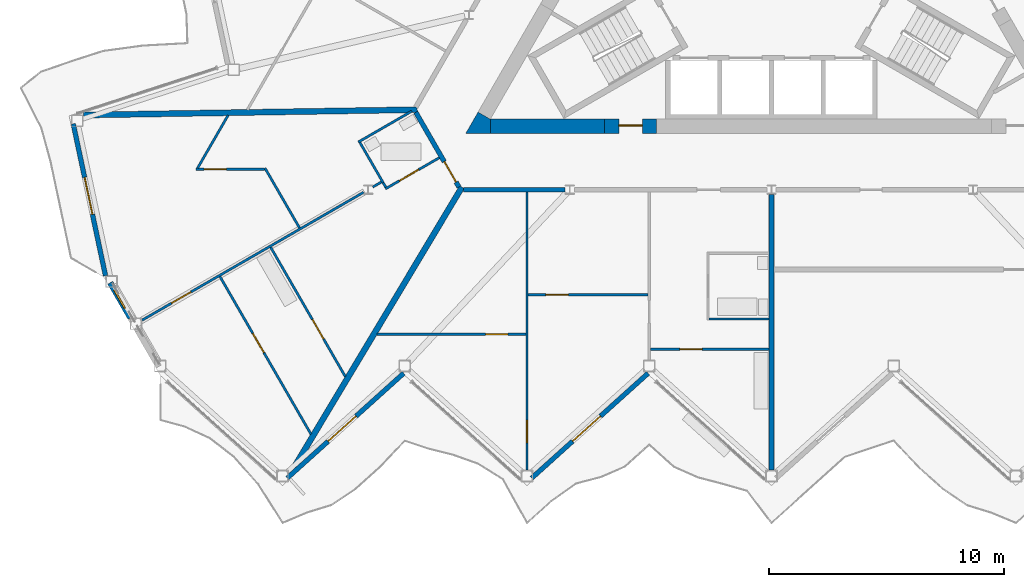
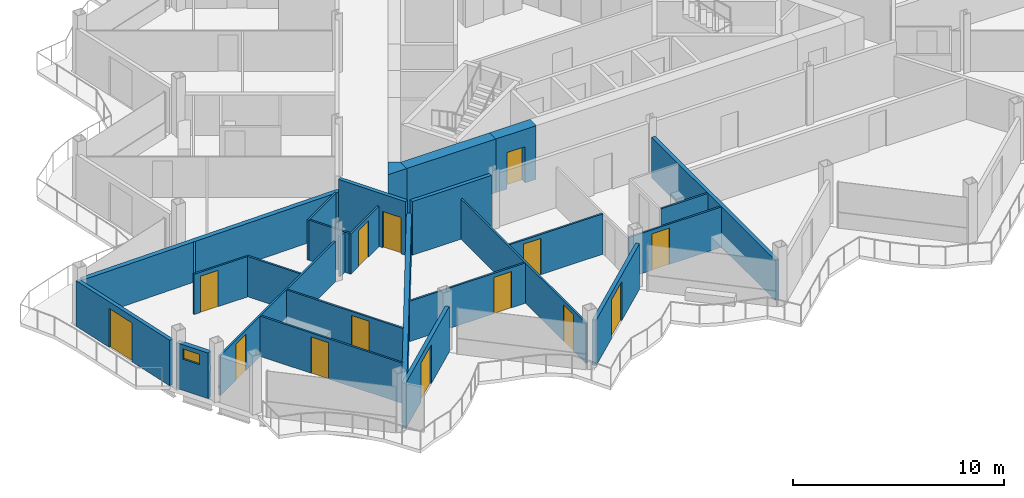
# One storey, part 12 of 26: 28 walls, 14 doors, 1 window, 15 openings.
"""IFC4 building model written with IfcOpenShell, lengths in metres."""

from ifc_helpers import new_model, si_unit, direction, frame, frame_2d, origin, place, context, subcontext, project, spatial, polyline, rectangle, outline, extrude, material, layer, layer_set, type_object, element, fill, save


model = new_model("IFC4")

# Units and contexts
model_context = context("Model", 3, precision=1e-05, world=origin(), true_north=direction((0.0, 1.0)))
body_context = subcontext(model_context, "Body", "Model", "MODEL_VIEW")
ifc_project = project(units=[si_unit("LENGTHUNIT", "METRE"), si_unit("AREAUNIT", "SQUARE_METRE"), si_unit("VOLUMEUNIT", "CUBIC_METRE"), si_unit("PLANEANGLEUNIT", "RADIAN"), si_unit("MASSUNIT", "GRAM", prefix="KILO")], contexts=[model_context])

# Site, building, storey
site_placement = place(None, origin())
site = spatial("IfcSite", under=ifc_project, at=site_placement, CompositionType="ELEMENT")
building_placement = place(site_placement, origin())
building = spatial("IfcBuilding", under=site, at=building_placement, Name="Cormorant Prow Tower", CompositionType="ELEMENT")
storey_placement = place(building_placement, frame((0.0, 0.0, 384.800048828125)))
storey = spatial("IfcBuildingStorey", under=building, at=storey_placement, Name="L87", CompositionType="ELEMENT", Elevation=384.800048828125)

# Walls
ifc_material_1 = material(Name="Concrete 8000 psi", Category="concrete")
ifc_layer_1 = layer(ifc_material_1, 0.60009765625)
ifc_layer_set_1 = layer_set([ifc_layer_1], Name="Concrete 8000 psi")
wall_type_1 = type_object("IfcWallType", Name="Core shear wall 600", PredefinedType="SHEAR", material=ifc_layer_set_1)
wall_1_placement = place(storey_placement, frame((-11.960693359375, -7.20556640625, 0.0), z_axis=(0.0, 0.0, 1.0), x_axis=(1.0, 0.0, 0.0)))
element("IfcWall", 1, at=wall_1_placement, inside=storey, type_object=wall_type_1, Name="Core wall", PredefinedType="SHEAR", context=body_context, shape_type="SweptSolid", body=[
    extrude(rectangle(XDim=4.868408203125, YDim=0.60009765625, at=frame_2d((2.43408203125, 0.0))), origin(), (0.0, 0.0, 1.0), 3.099853515625),
])
wall_2_placement = place(storey_placement, origin())
element("IfcWall", 2, at=wall_2_placement, inside=storey, type_object=wall_type_1, Name="Core wall corner", PredefinedType="SHEAR", context=body_context, shape_type="SweptSolid", body=[
    extrude(outline(polyline([(-12.48046875, -6.605712890625), (-11.960693359375, -6.905517578125), (-11.960693359375, -7.505615234375), (-13.0, -7.505615234375), (-12.48046875, -6.605712890625)])), origin(), (0.0, 0.0, 1.0), 3.099853515625),
])

# Wall, opening, door
wall_3_placement = place(storey_placement, frame((-7.09228515625, -7.20556640625, 0.0), z_axis=(0.0, 0.0, 1.0), x_axis=(1.0, 0.0, 0.0)))
wall_3 = element("IfcWall", 3, at=wall_3_placement, inside=storey, type_object=wall_type_1, Name="Core wall door panel", PredefinedType="SHEAR", context=body_context, shape_type="SweptSolid", body=[
    extrude(rectangle(XDim=2.2001953125, YDim=0.60009765625, at=frame_2d((1.10009765625, 0.0))), origin(), (0.0, 0.0, 1.0), 3.099853515625),
])
opening_1_placement = place(wall_3_placement, frame((0.60009765625, 0.0, 0.0)))
opening_1 = element("IfcOpeningElement", 4, at=opening_1_placement, cuts=wall_3, Name="Opening L87-C16", PredefinedType="OPENING", context=body_context, shape_type="SweptSolid", body=[
    extrude(rectangle(XDim=1.0, YDim=2.10009765625, at=frame_2d((0.5, 1.050048828125))), frame((0.0, 0.31005859375, 0.0), z_axis=(0.0, -1.0, 0.0), x_axis=(1.0, 0.0, 0.0)), (0.0, 0.0, 1.0), 0.6201171875),
])
ifc_material_2 = material(Name="Painted steel", Category="steel")
door_type_1 = type_object("IfcDoorType", Name="Service door 1000x2100", OperationType="NOTDEFINED", PredefinedType="DOOR", material=ifc_material_2)
door_1_placement = place(opening_1_placement, origin())
door_1 = element("IfcDoor", 5, at=door_1_placement, inside=storey, type_object=door_type_1, Name="Core door, Pantry store", OperationType="SINGLE_SWING_LEFT", OverallHeight=2.10009765625, OverallWidth=1.0, PredefinedType="DOOR", context=body_context, shape_type="SweptSolid", body=[
    extrude(rectangle(XDim=1.0, YDim=2.10009765625, at=frame_2d((0.5, 1.050048828125))), frame((0.0, 0.05517578125, 0.0), z_axis=(0.0, -1.0, 0.0), x_axis=(1.0, 0.0, 0.0)), (0.0, 0.0, 1.0), 0.050048828125),
])
fill(opening_1, door_1)

# Wall
ifc_material_3 = material(Name="Gypsum board corridor wall")
ifc_layer_2 = layer(ifc_material_3, 0.199951171875)
ifc_layer_set_2 = layer_set([ifc_layer_2], Name="Gypsum board corridor wall")
wall_type_2 = type_object("IfcWallType", Name="Corridor wall 200", PredefinedType="PARTITIONING", material=ifc_layer_set_2)
wall_4_placement = place(storey_placement, frame((-13.10595703125, -9.905517578125, 0.0), z_axis=(0.0, 0.0, 1.0), x_axis=(1.0, 0.0, 0.0)))
element("IfcWall", 6, at=wall_4_placement, inside=storey, type_object=wall_type_2, Name="Corridor wall", PredefinedType="PARTITIONING", context=body_context, shape_type="SweptSolid", body=[
    extrude(rectangle(XDim=4.33056640625, YDim=0.199951171875, at=frame_2d((2.165283203125, 0.0))), origin(), (0.0, 0.0, 1.0), 3.099853515625),
])

# Wall, opening, door
wall_5_placement = place(storey_placement, frame((-15.13134765625, -6.61376953125, 0.0), z_axis=(0.0, 0.0, 1.0), x_axis=(0.499967746641, -0.866044024469, 0.0)))
wall_5 = element("IfcWall", 7, at=wall_5_placement, inside=storey, type_object=wall_type_2, Name="Corridor wall", PredefinedType="PARTITIONING", context=body_context, shape_type="SweptSolid", body=[
    extrude(rectangle(XDim=3.676025390625, YDim=0.199951171875, at=frame_2d((1.837890625, 0.0))), origin(), (0.0, 0.0, 1.0), 3.099853515625),
])
opening_2_placement = place(wall_5_placement, frame((2.426025390625, 0.0, 0.0)))
opening_2 = element("IfcOpeningElement", 8, at=opening_2_placement, cuts=wall_5, Name="Opening L87-F46", PredefinedType="OPENING", context=body_context, shape_type="SweptSolid", body=[
    extrude(rectangle(XDim=1.0, YDim=2.10009765625, at=frame_2d((0.5, 1.050048828125))), frame((0.0, 0.10986328125, 0.0), z_axis=(0.0, -1.0, 0.0), x_axis=(1.0, 0.0, 0.0)), (0.0, 0.0, 1.0), 0.219970703125),
])
ifc_material_4 = material(Name="Timber door leaf", Category="wood")
door_type_2 = type_object("IfcDoorType", Name="Flat or room entrance door 1000x2100", OperationType="NOTDEFINED", PredefinedType="DOOR", material=ifc_material_4)
door_2_placement = place(opening_2_placement, origin())
door_2 = element("IfcDoor", 9, at=door_2_placement, inside=storey, type_object=door_type_2, Name="Living room door", OperationType="SINGLE_SWING_RIGHT", OverallHeight=2.10009765625, OverallWidth=1.0, PredefinedType="DOOR", context=body_context, shape_type="SweptSolid", body=[
    extrude(rectangle(XDim=1.0, YDim=2.10009765625, at=frame_2d((0.5, 1.050048828125))), frame((0.0, 0.02490234375, 0.0), z_axis=(0.0, -1.0, 0.0), x_axis=(1.0, 0.0, 0.0)), (0.0, 0.0, 1.0), 0.050048828125),
])
fill(opening_2, door_2)

# Wall
ifc_material_5 = material(Name="Gypsum board demising wall")
ifc_layer_3 = layer(ifc_material_5, 0.199951171875)
ifc_layer_set_3 = layer_set([ifc_layer_3], Name="Gypsum board demising wall")
wall_type_3 = type_object("IfcWallType", Name="Demising wall 200", PredefinedType="PARTITIONING", material=ifc_layer_set_3)
wall_6_placement = place(storey_placement, frame((0.0, -21.827880859375, 0.0), z_axis=(0.0, 0.0, 1.0), x_axis=(0.0, 1.0, 0.0)))
element("IfcWall", 10, at=wall_6_placement, inside=storey, type_object=wall_type_3, Name="Demising wall", PredefinedType="PARTITIONING", context=body_context, shape_type="SweptSolid", body=[
    extrude(rectangle(XDim=11.725341796875, YDim=0.199951171875, at=frame_2d((5.86279296875, 0.0))), origin(), (0.0, 0.0, 1.0), 2.330078125),
])

# Wall, opening, door
ifc_material_6 = material(Name="Gypsum board partition")
ifc_layer_4 = layer(ifc_material_6, 0.10009765625)
ifc_layer_set_4 = layer_set([ifc_layer_4], Name="Gypsum board partition")
wall_type_4 = type_object("IfcWallType", Name="Internal partition 100", PredefinedType="PARTITIONING", material=ifc_layer_set_4)
wall_7_placement = place(storey_placement, frame((-10.39990234375, -21.827880859375, 0.0), z_axis=(0.0, 0.0, 1.0), x_axis=(0.0, 1.0, 0.0)))
wall_7 = element("IfcWall", 11, at=wall_7_placement, inside=storey, type_object=wall_type_4, Name="Internal partition", PredefinedType="PARTITIONING", context=body_context, shape_type="SweptSolid", body=[
    extrude(rectangle(XDim=11.822265625, YDim=0.10009765625, at=frame_2d((5.9111328125, 0.0))), origin(), (0.0, 0.0, 1.0), 2.330078125),
])
opening_3_placement = place(wall_7_placement, frame((1.15625, 0.0, 0.0)))
opening_3 = element("IfcOpeningElement", 12, at=opening_3_placement, cuts=wall_7, Name="Opening L87-F06", PredefinedType="OPENING", context=body_context, shape_type="SweptSolid", body=[
    extrude(rectangle(XDim=0.949951171875, YDim=2.10009765625, at=frame_2d((0.47509765625, 1.050048828125))), frame((0.0, 0.06005859375, 0.0), z_axis=(0.0, -1.0, 0.0), x_axis=(1.0, 0.0, 0.0)), (0.0, 0.0, 1.0), 0.1201171875),
])
ifc_material_7 = material(Name="Timber door leaf", Category="wood")
door_type_3 = type_object("IfcDoorType", Name="Bathroom door 950x2100", OperationType="NOTDEFINED", PredefinedType="DOOR", material=ifc_material_7)
door_3_placement = place(opening_3_placement, origin())
door_3 = element("IfcDoor", 13, at=door_3_placement, inside=storey, type_object=door_type_3, Name="Bedroom door", OperationType="SINGLE_SWING_LEFT", OverallHeight=2.10009765625, OverallWidth=0.949951171875, PredefinedType="DOOR", context=body_context, shape_type="SweptSolid", body=[
    extrude(rectangle(XDim=0.949951171875, YDim=2.10009765625, at=frame_2d((0.47509765625, 1.050048828125))), frame((0.0, 0.02490234375, 0.0), z_axis=(0.0, -1.0, 0.0), x_axis=(1.0, 0.0, 0.0)), (0.0, 0.0, 1.0), 0.050048828125),
])
fill(opening_3, door_3)

wall_8_placement = place(storey_placement, frame((-26.77685546875, -15.459716796875, 0.0), z_axis=(0.0, 0.0, 1.0), x_axis=(0.866019680922, 0.500009912158, 0.0)))
wall_8 = element("IfcWall", 14, at=wall_8_placement, inside=storey, type_object=wall_type_4, Name="Internal partition", PredefinedType="PARTITIONING", context=body_context, shape_type="SweptSolid", body=[
    extrude(rectangle(XDim=10.880615234375, YDim=0.10009765625, at=frame_2d((5.4404296875, 0.0))), origin(), (0.0, 0.0, 1.0), 2.330078125),
])
opening_4_placement = place(wall_8_placement, frame((1.453857421875, 0.0, 0.0)))
opening_4 = element("IfcOpeningElement", 15, at=opening_4_placement, cuts=wall_8, Name="Opening L87-F50", PredefinedType="OPENING", context=body_context, shape_type="SweptSolid", body=[
    extrude(rectangle(XDim=0.949951171875, YDim=2.10009765625, at=frame_2d((0.47509765625, 1.050048828125))), frame((0.0, 0.06005859375, 0.0), z_axis=(0.0, -1.0, 0.0), x_axis=(1.0, 0.0, 0.0)), (0.0, 0.0, 1.0), 0.1201171875),
])
door_4_placement = place(opening_4_placement, origin())
door_4 = element("IfcDoor", 16, at=door_4_placement, inside=storey, type_object=door_type_3, Name="Dining room door", OperationType="SINGLE_SWING_RIGHT", OverallHeight=2.10009765625, OverallWidth=0.949951171875, PredefinedType="DOOR", context=body_context, shape_type="SweptSolid", body=[
    extrude(rectangle(XDim=0.949951171875, YDim=2.10009765625, at=frame_2d((0.47509765625, 1.050048828125))), frame((0.0, 0.02490234375, 0.0), z_axis=(0.0, -1.0, 0.0), x_axis=(1.0, 0.0, 0.0)), (0.0, 0.0, 1.0), 0.050048828125),
])
fill(opening_4, door_4)

wall_9_placement = place(storey_placement, frame((-23.461669921875, -13.603271484375, 0.0), z_axis=(0.0, 0.0, 1.0), x_axis=(0.499998111909, -0.866026493871, 0.0)))
wall_9 = element("IfcWall", 17, at=wall_9_placement, inside=storey, type_object=wall_type_4, Name="Internal partition", PredefinedType="PARTITIONING", context=body_context, shape_type="SweptSolid", body=[
    extrude(rectangle(XDim=7.7431640625, YDim=0.10009765625, at=frame_2d((3.87158203125, 0.0))), origin(), (0.0, 0.0, 1.0), 2.330078125),
])
opening_5_placement = place(wall_9_placement, frame((2.78759765625, 0.0, 0.0)))
opening_5 = element("IfcOpeningElement", 18, at=opening_5_placement, cuts=wall_9, Name="Opening L87-F49", PredefinedType="OPENING", context=body_context, shape_type="SweptSolid", body=[
    extrude(rectangle(XDim=0.949951171875, YDim=2.10009765625, at=frame_2d((0.47509765625, 1.050048828125))), frame((0.0, 0.06005859375, 0.0), z_axis=(0.0, -1.0, 0.0), x_axis=(1.0, 0.0, 0.0)), (0.0, 0.0, 1.0), 0.1201171875),
])
door_5_placement = place(opening_5_placement, origin())
door_5 = element("IfcDoor", 19, at=door_5_placement, inside=storey, type_object=door_type_3, Name="Kitchen door", OperationType="SINGLE_SWING_LEFT", OverallHeight=2.10009765625, OverallWidth=0.949951171875, PredefinedType="DOOR", context=body_context, shape_type="SweptSolid", body=[
    extrude(rectangle(XDim=0.949951171875, YDim=2.10009765625, at=frame_2d((0.47509765625, 1.050048828125))), frame((0.0, 0.02490234375, 0.0), z_axis=(0.0, -1.0, 0.0), x_axis=(1.0, 0.0, 0.0)), (0.0, 0.0, 1.0), 0.050048828125),
])
fill(opening_5, door_5)

wall_10_placement = place(storey_placement, frame((-21.30419921875, -12.35791015625, 0.0), z_axis=(0.0, 0.0, 1.0), x_axis=(0.500000558108, -0.866025081561, 0.0)))
wall_10 = element("IfcWall", 20, at=wall_10_placement, inside=storey, type_object=wall_type_4, Name="Internal partition", PredefinedType="PARTITIONING", context=body_context, shape_type="SweptSolid", body=[
    extrude(rectangle(XDim=6.35791015625, YDim=0.10009765625, at=frame_2d((3.178955078125, 0.0))), origin(), (0.0, 0.0, 1.0), 2.330078125),
])
opening_6_placement = place(wall_10_placement, frame((3.555419921875, 0.0, 0.0)))
opening_6 = element("IfcOpeningElement", 21, at=opening_6_placement, cuts=wall_10, Name="Opening L87-F48", PredefinedType="OPENING", context=body_context, shape_type="SweptSolid", body=[
    extrude(rectangle(XDim=0.949951171875, YDim=2.10009765625, at=frame_2d((0.47509765625, 1.050048828125))), frame((0.0, 0.06005859375, 0.0), z_axis=(0.0, -1.0, 0.0), x_axis=(1.0, 0.0, 0.0)), (0.0, 0.0, 1.0), 0.1201171875),
])
door_6_placement = place(opening_6_placement, origin())
door_6 = element("IfcDoor", 22, at=door_6_placement, inside=storey, type_object=door_type_3, Name="Living room door", OperationType="SINGLE_SWING_LEFT", OverallHeight=2.10009765625, OverallWidth=0.949951171875, PredefinedType="DOOR", context=body_context, shape_type="SweptSolid", body=[
    extrude(rectangle(XDim=0.949951171875, YDim=2.10009765625, at=frame_2d((0.47509765625, 1.050048828125))), frame((0.0, 0.02490234375, 0.0), z_axis=(0.0, -1.0, 0.0), x_axis=(1.0, 0.0, 0.0)), (0.0, 0.0, 1.0), 0.050048828125),
])
fill(opening_6, door_6)

wall_11_placement = place(storey_placement, frame((-16.781494140625, -16.055419921875, 0.0), z_axis=(0.0, 0.0, 1.0), x_axis=(1.0, 0.0, 0.0)))
wall_11 = element("IfcWall", 23, at=wall_11_placement, inside=storey, type_object=wall_type_4, Name="Internal partition", PredefinedType="PARTITIONING", context=body_context, shape_type="SweptSolid", body=[
    extrude(rectangle(XDim=6.33154296875, YDim=0.10009765625, at=frame_2d((3.165771484375, 0.0))), origin(), (0.0, 0.0, 1.0), 2.330078125),
])
opening_7_placement = place(wall_11_placement, frame((4.623046875, 0.0, 0.0)))
opening_7 = element("IfcOpeningElement", 24, at=opening_7_placement, cuts=wall_11, Name="Opening L87-F07", PredefinedType="OPENING", context=body_context, shape_type="SweptSolid", body=[
    extrude(rectangle(XDim=0.949951171875, YDim=2.10009765625, at=frame_2d((0.47509765625, 1.050048828125))), frame((0.0, 0.06005859375, 0.0), z_axis=(0.0, -1.0, 0.0), x_axis=(1.0, 0.0, 0.0)), (0.0, 0.0, 1.0), 0.1201171875),
])
door_7_placement = place(opening_7_placement, origin())
door_7 = element("IfcDoor", 25, at=door_7_placement, inside=storey, type_object=door_type_3, Name="Bedroom door", OperationType="SINGLE_SWING_RIGHT", OverallHeight=2.10009765625, OverallWidth=0.949951171875, PredefinedType="DOOR", context=body_context, shape_type="SweptSolid", body=[
    extrude(rectangle(XDim=0.949951171875, YDim=2.10009765625, at=frame_2d((0.47509765625, 1.050048828125))), frame((0.0, 0.02490234375, 0.0), z_axis=(0.0, -1.0, 0.0), x_axis=(1.0, 0.0, 0.0)), (0.0, 0.0, 1.0), 0.050048828125),
])
fill(opening_7, door_7)

wall_12_placement = place(storey_placement, frame((-5.14990234375, -16.689208984375, 0.0), z_axis=(0.0, 0.0, 1.0), x_axis=(1.0, 0.0, 0.0)))
wall_12 = element("IfcWall", 26, at=wall_12_placement, inside=storey, type_object=wall_type_4, Name="Internal partition", PredefinedType="PARTITIONING", context=body_context, shape_type="SweptSolid", body=[
    extrude(rectangle(XDim=5.0498046875, YDim=0.10009765625, at=frame_2d((2.52490234375, 0.0))), origin(), (0.0, 0.0, 1.0), 2.330078125),
])
opening_8_placement = place(wall_12_placement, frame((1.25, 0.0, 0.0)))
opening_8 = element("IfcOpeningElement", 27, at=opening_8_placement, cuts=wall_12, Name="Opening L87-F03", PredefinedType="OPENING", context=body_context, shape_type="SweptSolid", body=[
    extrude(rectangle(XDim=0.949951171875, YDim=2.10009765625, at=frame_2d((0.47509765625, 1.050048828125))), frame((0.0, 0.06005859375, 0.0), z_axis=(0.0, -1.0, 0.0), x_axis=(1.0, 0.0, 0.0)), (0.0, 0.0, 1.0), 0.1201171875),
])
door_8_placement = place(opening_8_placement, origin())
door_8 = element("IfcDoor", 28, at=door_8_placement, inside=storey, type_object=door_type_3, Name="Living room door", OperationType="SINGLE_SWING_RIGHT", OverallHeight=2.10009765625, OverallWidth=0.949951171875, PredefinedType="DOOR", context=body_context, shape_type="SweptSolid", body=[
    extrude(rectangle(XDim=0.949951171875, YDim=2.10009765625, at=frame_2d((0.47509765625, 1.050048828125))), frame((0.0, 0.02490234375, 0.0), z_axis=(0.0, -1.0, 0.0), x_axis=(1.0, 0.0, 0.0)), (0.0, 0.0, 1.0), 0.050048828125),
])
fill(opening_8, door_8)

wall_13_placement = place(storey_placement, frame((-10.35009765625, -14.381591796875, 0.0), z_axis=(0.0, 0.0, 1.0), x_axis=(1.0, 0.0, 0.0)))
wall_13 = element("IfcWall", 29, at=wall_13_placement, inside=storey, type_object=wall_type_4, Name="Internal partition", PredefinedType="PARTITIONING", context=body_context, shape_type="SweptSolid", body=[
    extrude(rectangle(XDim=5.10009765625, YDim=0.10009765625, at=frame_2d((2.550048828125, 0.0))), origin(), (0.0, 0.0, 1.0), 2.330078125),
])
opening_9_placement = place(wall_13_placement, frame((0.7568359375, 0.0, 0.0)))
opening_9 = element("IfcOpeningElement", 30, at=opening_9_placement, cuts=wall_13, Name="Opening L87-F05", PredefinedType="OPENING", context=body_context, shape_type="SweptSolid", body=[
    extrude(rectangle(XDim=0.949951171875, YDim=2.10009765625, at=frame_2d((0.47509765625, 1.050048828125))), frame((0.0, 0.06005859375, 0.0), z_axis=(0.0, -1.0, 0.0), x_axis=(1.0, 0.0, 0.0)), (0.0, 0.0, 1.0), 0.1201171875),
])
door_9_placement = place(opening_9_placement, origin())
door_9 = element("IfcDoor", 31, at=door_9_placement, inside=storey, type_object=door_type_3, Name="Bedroom door", OperationType="SINGLE_SWING_LEFT", OverallHeight=2.10009765625, OverallWidth=0.949951171875, PredefinedType="DOOR", context=body_context, shape_type="SweptSolid", body=[
    extrude(rectangle(XDim=0.949951171875, YDim=2.10009765625, at=frame_2d((0.47509765625, 1.050048828125))), frame((0.0, 0.02490234375, 0.0), z_axis=(0.0, -1.0, 0.0), x_axis=(1.0, 0.0, 0.0)), (0.0, 0.0, 1.0), 0.050048828125),
])
fill(opening_9, door_9)

# Wall
wall_14_placement = place(storey_placement, frame((-21.5458984375, -8.98876953125, 0.0), z_axis=(0.0, 0.0, 1.0), x_axis=(0.499919039967, -0.866072141036, 0.0)))
element("IfcWall", 32, at=wall_14_placement, inside=storey, type_object=wall_type_4, Name="Internal partition", PredefinedType="PARTITIONING", context=body_context, shape_type="SweptSolid", body=[
    extrude(rectangle(XDim=2.9384765625, YDim=0.10009765625, at=frame_2d((1.46923828125, 0.0))), origin(), (0.0, 0.0, 1.0), 2.330078125),
])

# Wall, opening, door
wall_15_placement = place(storey_placement, frame((-24.488525390625, -9.031982421875, 0.0), z_axis=(0.0, 0.0, 1.0), x_axis=(1.0, 0.0, 0.0)))
wall_15 = element("IfcWall", 33, at=wall_15_placement, inside=storey, type_object=wall_type_4, Name="Internal partition", PredefinedType="PARTITIONING", context=body_context, shape_type="SweptSolid", body=[
    extrude(rectangle(XDim=2.91748046875, YDim=0.10009765625, at=frame_2d((1.458740234375, 0.0))), origin(), (0.0, 0.0, 1.0), 2.330078125),
])
opening_10_placement = place(wall_15_placement, frame((0.354736328125, 0.0, 0.0)))
opening_10 = element("IfcOpeningElement", 34, at=opening_10_placement, cuts=wall_15, Name="Opening L87-F51", PredefinedType="OPENING", context=body_context, shape_type="SweptSolid", body=[
    extrude(rectangle(XDim=0.949951171875, YDim=2.10009765625, at=frame_2d((0.47509765625, 1.050048828125))), frame((0.0, 0.06005859375, 0.0), z_axis=(0.0, -1.0, 0.0), x_axis=(1.0, 0.0, 0.0)), (0.0, 0.0, 1.0), 0.1201171875),
])
door_10_placement = place(opening_10_placement, origin())
door_10 = element("IfcDoor", 35, at=door_10_placement, inside=storey, type_object=door_type_3, Name="Principal bedroom door", OperationType="SINGLE_SWING_LEFT", OverallHeight=2.10009765625, OverallWidth=0.949951171875, PredefinedType="DOOR", context=body_context, shape_type="SweptSolid", body=[
    extrude(rectangle(XDim=0.949951171875, YDim=2.10009765625, at=frame_2d((0.47509765625, 1.050048828125))), frame((0.0, 0.02490234375, 0.0), z_axis=(0.0, -1.0, 0.0), x_axis=(1.0, 0.0, 0.0)), (0.0, 0.0, 1.0), 0.050048828125),
])
fill(opening_10, door_10)

# Walls
wall_16_placement = place(storey_placement, frame((-24.41357421875, -8.98876953125, 0.0), z_axis=(0.0, 0.0, 1.0), x_axis=(0.500042595688, 0.866000809756, 0.0)))
element("IfcWall", 36, at=wall_16_placement, inside=storey, type_object=wall_type_4, Name="Internal partition", PredefinedType="PARTITIONING", context=body_context, shape_type="SweptSolid", body=[
    extrude(rectangle(XDim=2.596435546875, YDim=0.10009765625, at=frame_2d((1.29833984375, 0.0))), origin(), (0.0, 0.0, 1.0), 2.330078125),
])
wall_17_placement = place(storey_placement, frame((-2.64990234375, -15.405517578125, 0.0), z_axis=(0.0, 0.0, 1.0), x_axis=(1.0, 0.0, 0.0)))
element("IfcWall", 37, at=wall_17_placement, inside=storey, type_object=wall_type_4, Name="Internal partition", PredefinedType="PARTITIONING", context=body_context, shape_type="SweptSolid", body=[
    extrude(rectangle(XDim=2.5498046875, YDim=0.10009765625, at=frame_2d((1.27490234375, 0.0))), origin(), (0.0, 0.0, 1.0), 2.330078125),
])
wall_18_placement = place(storey_placement, frame((-17.575439453125, -7.880615234375, 0.0), z_axis=(0.0, 0.0, 1.0), x_axis=(0.866036909293, 0.499980071345, 0.0)))
element("IfcWall", 38, at=wall_18_placement, inside=storey, type_object=wall_type_4, Name="Internal partition", PredefinedType="PARTITIONING", context=body_context, shape_type="SweptSolid", body=[
    extrude(rectangle(XDim=2.625, YDim=0.10009765625, at=frame_2d((1.3125, 0.0))), origin(), (0.0, 0.0, 1.0), 2.330078125),
])

# Wall, opening, door
wall_19_placement = place(storey_placement, frame((-16.4248046875, -9.871826171875, 0.0), z_axis=(0.0, 0.0, 1.0), x_axis=(0.86603978909, 0.499975083092, 0.0)))
wall_19 = element("IfcWall", 39, at=wall_19_placement, inside=storey, type_object=wall_type_4, Name="Internal partition", PredefinedType="PARTITIONING", context=body_context, shape_type="SweptSolid", body=[
    extrude(rectangle(XDim=2.649169921875, YDim=0.10009765625, at=frame_2d((1.32470703125, 0.0))), origin(), (0.0, 0.0, 1.0), 2.330078125),
])
opening_11_placement = place(wall_19_placement, frame((0.68603515625, 0.0, 0.0)))
opening_11 = element("IfcOpeningElement", 40, at=opening_11_placement, cuts=wall_19, Name="Opening L87-F47", PredefinedType="OPENING", context=body_context, shape_type="SweptSolid", body=[
    extrude(rectangle(XDim=0.949951171875, YDim=2.10009765625, at=frame_2d((0.47509765625, 1.050048828125))), frame((0.0, 0.06005859375, 0.0), z_axis=(0.0, -1.0, 0.0), x_axis=(1.0, 0.0, 0.0)), (0.0, 0.0, 1.0), 0.1201171875),
])
door_11_placement = place(opening_11_placement, origin())
door_11 = element("IfcDoor", 41, at=door_11_placement, inside=storey, type_object=door_type_3, Name="Living room door", OperationType="SINGLE_SWING_LEFT", OverallHeight=2.10009765625, OverallWidth=0.949951171875, PredefinedType="DOOR", context=body_context, shape_type="SweptSolid", body=[
    extrude(rectangle(XDim=0.949951171875, YDim=2.10009765625, at=frame_2d((0.47509765625, 1.050048828125))), frame((0.0, 0.02490234375, 0.0), z_axis=(0.0, -1.0, 0.0), x_axis=(1.0, 0.0, 0.0)), (0.0, 0.0, 1.0), 0.050048828125),
])
fill(opening_11, door_11)

# Walls
wall_20_placement = place(storey_placement, frame((-17.507080078125, -7.898681640625, 0.0), z_axis=(0.0, 0.0, 1.0), x_axis=(0.500011643316, -0.866018681408, 0.0)))
element("IfcWall", 42, at=wall_20_placement, inside=storey, type_object=wall_type_4, Name="Internal partition", PredefinedType="PARTITIONING", context=body_context, shape_type="SweptSolid", body=[
    extrude(rectangle(XDim=1.97314453125, YDim=0.10009765625, at=frame_2d((0.986572265625, 0.0))), origin(), (0.0, 0.0, 1.0), 2.330078125),
])
wall_21_placement = place(storey_placement, frame((-16.9599609375, -9.791748046875, 0.0), z_axis=(0.0, 0.0, 1.0), x_axis=(0.866137484628, 0.499805820016, 0.0)))
element("IfcWall", 43, at=wall_21_placement, inside=storey, type_object=wall_type_4, Name="Internal partition", PredefinedType="PARTITIONING", context=body_context, shape_type="SweptSolid", body=[
    extrude(rectangle(XDim=0.422607421875, YDim=0.10009765625, at=frame_2d((0.21142578125, 0.0))), origin(), (0.0, 0.0, 1.0), 2.330078125),
])
wall_22_placement = place(storey_placement, frame((-16.519287109375, -9.609619140625, 0.0), z_axis=(0.0, 0.0, 1.0), x_axis=(0.50245032488, -0.864606078528, 0.0)))
element("IfcWall", 44, at=wall_22_placement, inside=storey, type_object=wall_type_4, Name="Internal partition", PredefinedType="PARTITIONING", context=body_context, shape_type="SweptSolid", body=[
    extrude(rectangle(XDim=0.224365234375, YDim=0.10009765625, at=frame_2d((0.1123046875, 0.0))), origin(), (0.0, 0.0, 1.0), 2.330078125),
])
ifc_material_8 = material(Name="Acoustic gypsum party wall")
ifc_layer_5 = layer(ifc_material_8, 0.25)
ifc_layer_set_5 = layer_set([ifc_layer_5], Name="Acoustic gypsum party wall")
wall_type_5 = type_object("IfcWallType", Name="Suite party wall 250", PredefinedType="PARTITIONING", material=ifc_layer_set_5)
wall_23_placement = place(storey_placement, frame((-20.33837890625, -21.77099609375, 0.0), z_axis=(0.0, 0.0, 1.0), x_axis=(0.513878217441, 0.857863146218, 0.0)))
element("IfcWall", 45, at=wall_23_placement, inside=storey, type_object=wall_type_5, Name="Suite party wall", PredefinedType="PARTITIONING", context=body_context, shape_type="SweptSolid", body=[
    extrude(rectangle(XDim=13.956298828125, YDim=0.25, at=frame_2d((6.97802734375, 0.0))), origin(), (0.0, 0.0, 1.0), 2.330078125),
])
wall_24_placement = place(storey_placement, frame((-29.2685546875, -6.73193359375, 0.0), z_axis=(0.0, 0.0, 1.0), x_axis=(0.999870533117, 0.016090898164, 0.0)))
element("IfcWall", 46, at=wall_24_placement, inside=storey, type_object=wall_type_5, Name="Suite party wall", PredefinedType="PARTITIONING", context=body_context, shape_type="SweptSolid", body=[
    extrude(rectangle(XDim=14.20166015625, YDim=0.25, at=frame_2d((7.100830078125, 0.0))), origin(), (0.0, 0.0, 1.0), 2.330078125),
])

# Wall, opening, window
ifc_material_9 = material(Name="Terracotta", Category="masonry")
ifc_layer_6 = layer(ifc_material_9, 0.25)
ifc_layer_set_6 = layer_set([ifc_layer_6], Name="Terracotta")
wall_type_6 = type_object("IfcWallType", Name="Terracotta bay wall 250", PredefinedType="SOLIDWALL", material=ifc_layer_set_6)
wall_25_placement = place(storey_placement, frame((-28.13232421875, -13.8662109375, 0.0), z_axis=(0.0, 0.0, 1.0), x_axis=(0.499975693202, -0.866039436866, 0.0)))
wall_25 = element("IfcWall", 47, at=wall_25_placement, inside=storey, type_object=wall_type_6, Name="Terracotta bay wall WSW00", PredefinedType="SOLIDWALL", context=body_context, shape_type="SweptSolid", body=[
    extrude(rectangle(XDim=1.724609375, YDim=0.25, at=frame_2d((0.8623046875, 0.0))), origin(), (0.0, 0.0, 1.0), 2.6337890625),
])
opening_12_placement = place(wall_25_placement, frame((0.35009765625, 0.0, 1.800048828125)))
opening_12 = element("IfcOpeningElement", 48, at=opening_12_placement, cuts=wall_25, Name="Opening WN7", PredefinedType="OPENING", context=body_context, shape_type="SweptSolid", body=[
    extrude(rectangle(XDim=0.89990234375, YDim=0.60009765625, at=frame_2d((0.449951171875, 0.300048828125))), frame((0.0, 0.135009765625, 0.0), z_axis=(0.0, -1.0, 0.0), x_axis=(1.0, 0.0, 0.0)), (0.0, 0.0, 1.0), 0.27001953125),
])
ifc_material_10 = material(Name="Aluminium 6063-T6", Category="aluminium")
window_type = type_object("IfcWindowType", Name="Corner bay window 900x600", PartitioningType="SINGLE_PANEL", PredefinedType="WINDOW", material=ifc_material_10)
window_placement = place(opening_12_placement, origin())
window = element("IfcWindow", 49, at=window_placement, inside=storey, type_object=window_type, Name="Corner bay window WSW00", OverallHeight=0.60009765625, OverallWidth=0.89990234375, PartitioningType="SINGLE_PANEL", PredefinedType="WINDOW", context=body_context, shape_type="SweptSolid", body=[
    extrude(rectangle(XDim=0.89990234375, YDim=0.60009765625, at=frame_2d((0.449951171875, 0.300048828125))), frame((0.0, 0.030029296875, 0.0), z_axis=(0.0, -1.0, 0.0), x_axis=(1.0, 0.0, 0.0)), (0.0, 0.0, 1.0), 0.06005859375),
])
fill(opening_12, window)

# Wall, opening, door
ifc_material_11 = material(Name="Terracotta", Category="masonry")
ifc_layer_7 = layer(ifc_material_11, 0.199951171875)
ifc_layer_set_7 = layer_set([ifc_layer_7], Name="Terracotta")
wall_type_7 = type_object("IfcWallType", Name="Terracotta jamb wall 200", PredefinedType="SOLIDWALL", material=ifc_layer_set_7)
wall_26_placement = place(storey_placement, frame((-20.594970703125, -22.172607421875, 0.0), z_axis=(0.0, 0.0, 1.0), x_axis=(0.743135582201, 0.669140871915, 0.0)))
wall_26 = element("IfcWall", 50, at=wall_26_placement, inside=storey, type_object=wall_type_7, Name="Terracotta jamb wall S01", PredefinedType="SOLIDWALL", context=body_context, shape_type="SweptSolid", body=[
    extrude(rectangle(XDim=6.66162109375, YDim=0.199951171875, at=frame_2d((3.330810546875, 0.0))), origin(), (0.0, 0.0, 1.0), 2.6337890625),
])
opening_13_placement = place(wall_26_placement, frame((2.332763671875, 0.0, 0.0)))
opening_13 = element("IfcOpeningElement", 51, at=opening_13_placement, cuts=wall_26, Name="Opening ED87.01", PredefinedType="OPENING", context=body_context, shape_type="SweptSolid", body=[
    extrude(rectangle(XDim=1.60009765625, YDim=2.25, at=frame_2d((0.800048828125, 1.125))), frame((0.0, 0.10986328125, 0.0), z_axis=(0.0, -1.0, 0.0), x_axis=(1.0, 0.0, 0.0)), (0.0, 0.0, 1.0), 0.219970703125),
])
ifc_material_12 = material(Name="Aluminium 6063-T6", Category="aluminium")
door_type_4 = type_object("IfcDoorType", Name="Balcony door 1600x2250", OperationType="DOUBLE_DOOR_SINGLE_SWING", PredefinedType="DOOR", material=ifc_material_12)
door_12_placement = place(opening_13_placement, origin())
door_12 = element("IfcDoor", 52, at=door_12_placement, inside=storey, type_object=door_type_4, Name="Balcony door S01 ED87.01", OperationType="DOUBLE_DOOR_SINGLE_SWING", OverallHeight=2.25, OverallWidth=1.60009765625, PredefinedType="DOOR", context=body_context, shape_type="SweptSolid", body=[
    extrude(rectangle(XDim=1.60009765625, YDim=2.25, at=frame_2d((0.800048828125, 1.125))), frame((0.0, 0.02490234375, 0.0), z_axis=(0.0, -1.0, 0.0), x_axis=(1.0, 0.0, 0.0)), (0.0, 0.0, 1.0), 0.050048828125),
])
fill(opening_13, door_12)

wall_27_placement = place(storey_placement, frame((-10.19482421875, -22.172607421875, 0.0), z_axis=(0.0, 0.0, 1.0), x_axis=(0.743119171875, 0.669159096473, 0.0)))
wall_27 = element("IfcWall", 53, at=wall_27_placement, inside=storey, type_object=wall_type_7, Name="Terracotta jamb wall S03", PredefinedType="SOLIDWALL", context=body_context, shape_type="SweptSolid", body=[
    extrude(rectangle(XDim=6.661376953125, YDim=0.199951171875, at=frame_2d((3.33056640625, 0.0))), origin(), (0.0, 0.0, 1.0), 2.6337890625),
])
opening_14_placement = place(wall_27_placement, frame((2.332763671875, 0.0, 0.0)))
opening_14 = element("IfcOpeningElement", 54, at=opening_14_placement, cuts=wall_27, Name="Opening ED87.02", PredefinedType="OPENING", context=body_context, shape_type="SweptSolid", body=[
    extrude(rectangle(XDim=1.60009765625, YDim=2.25, at=frame_2d((0.800048828125, 1.125))), frame((0.0, 0.10986328125, 0.0), z_axis=(0.0, -1.0, 0.0), x_axis=(1.0, 0.0, 0.0)), (0.0, 0.0, 1.0), 0.219970703125),
])
door_13_placement = place(opening_14_placement, origin())
door_13 = element("IfcDoor", 55, at=door_13_placement, inside=storey, type_object=door_type_4, Name="Balcony door S03 ED87.02", OperationType="DOUBLE_DOOR_SINGLE_SWING", OverallHeight=2.25, OverallWidth=1.60009765625, PredefinedType="DOOR", context=body_context, shape_type="SweptSolid", body=[
    extrude(rectangle(XDim=1.60009765625, YDim=2.25, at=frame_2d((0.800048828125, 1.125))), frame((0.0, 0.02490234375, 0.0), z_axis=(0.0, -1.0, 0.0), x_axis=(1.0, 0.0, 0.0)), (0.0, 0.0, 1.0), 0.050048828125),
])
fill(opening_14, door_13)

wall_28_placement = place(storey_placement, frame((-29.70458984375, -7.104736328125, 0.0), z_axis=(0.0, 0.0, 1.0), x_axis=(0.207924998532, -0.978144771997, 0.0)))
wall_28 = element("IfcWall", 56, at=wall_28_placement, inside=storey, type_object=wall_type_7, Name="Terracotta jamb wall WNW09", PredefinedType="SOLIDWALL", context=body_context, shape_type="SweptSolid", body=[
    extrude(rectangle(XDim=6.61181640625, YDim=0.199951171875, at=frame_2d((3.305908203125, 0.0))), origin(), (0.0, 0.0, 1.0), 2.6337890625),
])
opening_15_placement = place(wall_28_placement, frame((2.332763671875, 0.0, 0.0)))
opening_15 = element("IfcOpeningElement", 57, at=opening_15_placement, cuts=wall_28, Name="Opening ED87.15", PredefinedType="OPENING", context=body_context, shape_type="SweptSolid", body=[
    extrude(rectangle(XDim=1.60009765625, YDim=2.25, at=frame_2d((0.800048828125, 1.125))), frame((0.0, 0.10986328125, 0.0), z_axis=(0.0, -1.0, 0.0), x_axis=(1.0, 0.0, 0.0)), (0.0, 0.0, 1.0), 0.219970703125),
])
door_14_placement = place(opening_15_placement, origin())
door_14 = element("IfcDoor", 58, at=door_14_placement, inside=storey, type_object=door_type_4, Name="Balcony door WNW09 ED87.15", OperationType="DOUBLE_DOOR_SINGLE_SWING", OverallHeight=2.25, OverallWidth=1.60009765625, PredefinedType="DOOR", context=body_context, shape_type="SweptSolid", body=[
    extrude(rectangle(XDim=1.60009765625, YDim=2.25, at=frame_2d((0.800048828125, 1.125))), frame((0.0, 0.02490234375, 0.0), z_axis=(0.0, -1.0, 0.0), x_axis=(1.0, 0.0, 0.0)), (0.0, 0.0, 1.0), 0.050048828125),
])
fill(opening_15, door_14)

save(model, "model.ifc")
